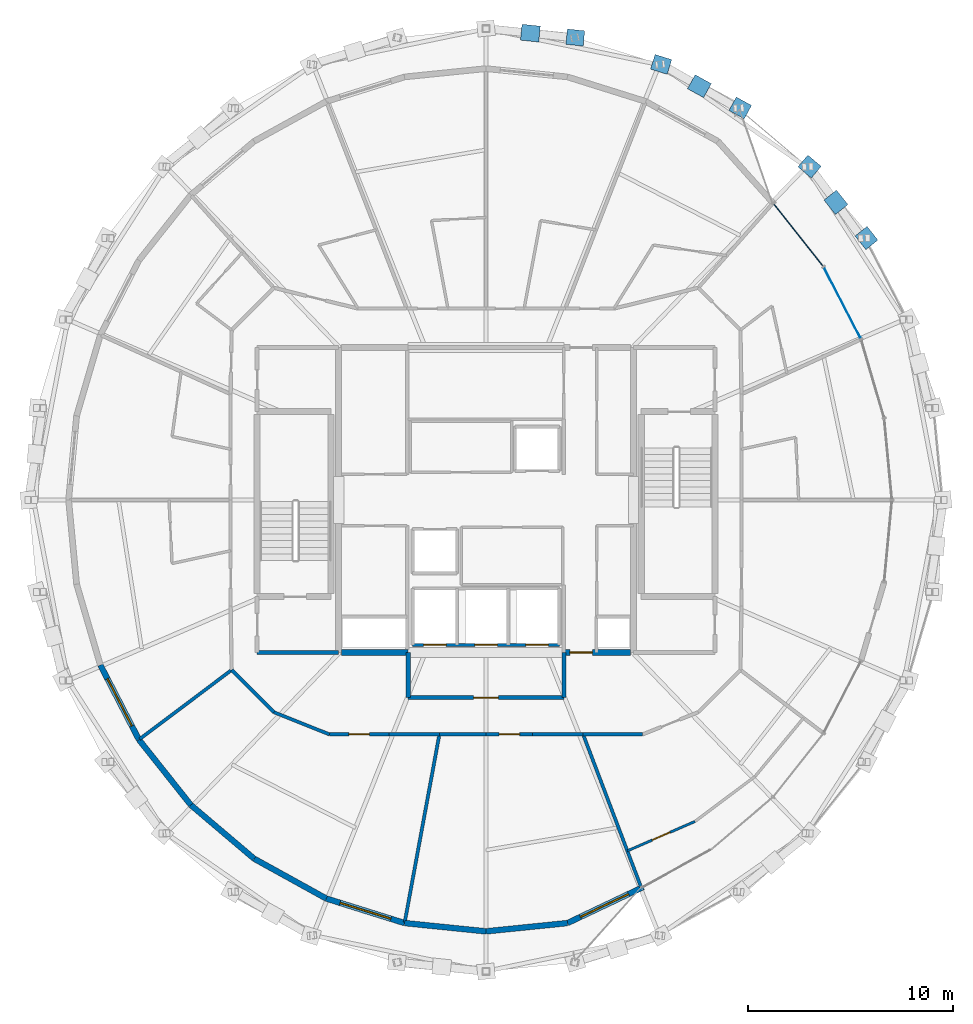
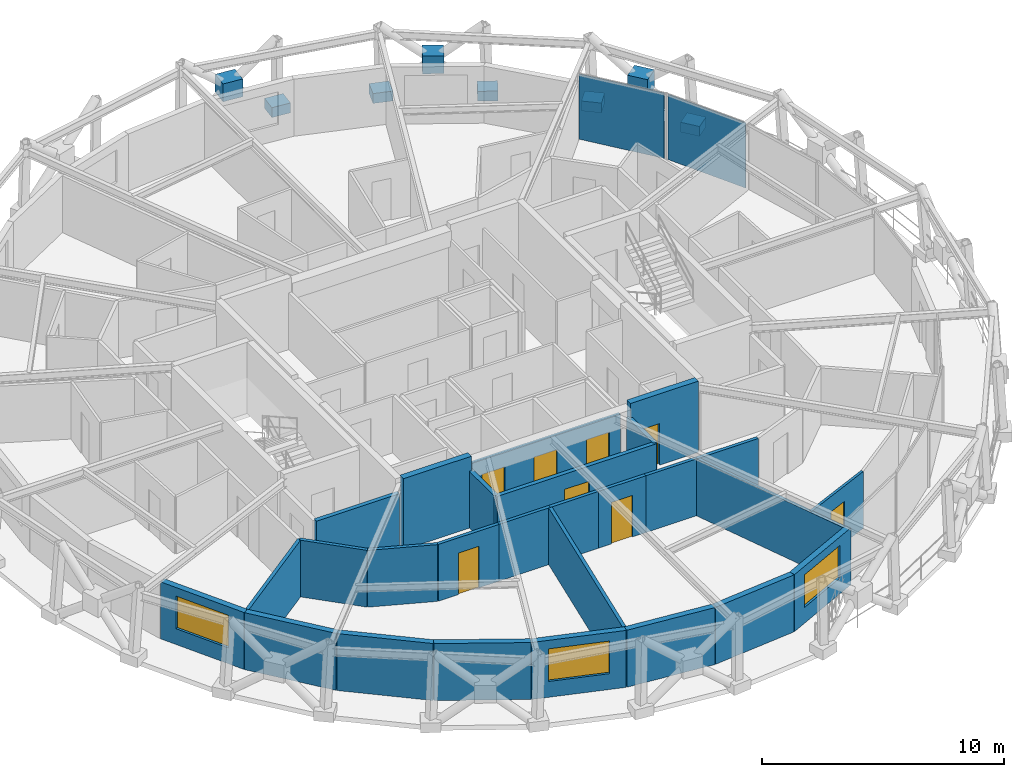
# One storey, part 10 of 15: 27 walls, 10 plates, 8 doors, 3 windows, 11 openings, 1 element without a shape of its own.
"""IFC4 building model written with IfcOpenShell, lengths in metres."""

from ifc_helpers import new_model, si_unit, direction, frame, frame_2d, origin, origin_2d, place, context, subcontext, project, spatial, rectangle, extrude, material, layer, layer_set, type_object, element, fill, aggregate, save


model = new_model("IFC4")

# Units and contexts
model_context = context("Model", 3, precision=1e-05, world=origin(), true_north=direction((0.0, 1.0)))
body_context = subcontext(model_context, "Body", "Model", "MODEL_VIEW")
ifc_project = project(units=[si_unit("LENGTHUNIT", "METRE"), si_unit("AREAUNIT", "SQUARE_METRE"), si_unit("VOLUMEUNIT", "CUBIC_METRE"), si_unit("PLANEANGLEUNIT", "RADIAN"), si_unit("MASSUNIT", "GRAM", prefix="KILO")], contexts=[model_context])

# Site, building, storey
site_placement = place(None, origin())
site = spatial("IfcSite", under=ifc_project, at=site_placement, CompositionType="ELEMENT")
building_placement = place(site_placement, origin())
building = spatial("IfcBuilding", under=site, at=building_placement, Name="Veldorina Hangang Commons", CompositionType="ELEMENT")
storey_placement = place(building_placement, frame((0.0, 0.0, 258.0)))
storey = spatial("IfcBuildingStorey", under=building, at=storey_placement, Name="L67", CompositionType="ELEMENT", Elevation=258.0)

# Curtain wall, plates
ifc_material_1 = material(Name="Glass Low-E Selective", Category="glass")
ifc_layer_1 = layer(ifc_material_1, 0.179931640625)
ifc_layer_set_1 = layer_set([ifc_layer_1], Name="Glass Low-E Selective")
curtain_wall_type = type_object("IfcCurtainWallType", Name="CW-SYS-Z3", PredefinedType="NOTDEFINED", material=ifc_layer_set_1)
curtain_wall_placement = place(storey_placement, origin())
curtain_wall = element("IfcCurtainWall", 1, at=curtain_wall_placement, inside=storey, type_object=curtain_wall_type, Name="L67 unitised curtain wall CW-L67-R2", PredefinedType="NOTDEFINED")
ifc_material_2 = material(Name="Glass Low-E Triple IGU", Category="glass")
ifc_layer_2 = layer(ifc_material_2, 0.0400390625)
ifc_layer_set_2 = layer_set([ifc_layer_2], Name="Glass Low-E Triple IGU")
plate_type_1 = type_object("IfcPlateType", Name="CW-PNL-VIS", PredefinedType="CURTAIN_PANEL", material=ifc_layer_set_2)
plate_1_placement = place(storey_placement, frame((49.40673828125, 33.623291015625, 0.014892578125), z_axis=(0.0, 0.0, 1.0), x_axis=(-0.459083760002, 0.888392988099, 0.0)))
plate_1 = element("IfcPlate", 2, at=plate_1_placement, type_object=plate_type_1, Name="CW-L67-R2 facet 4 glazed vision panel", PredefinedType="CURTAIN_PANEL", context=body_context, shape_type="SweptSolid", body=[
    extrude(rectangle(XDim=3.81201171875, YDim=0.0400390625, at=origin_2d()), origin(), (0.0, 0.0, 1.0), 3.2900390625),
])
plate_2_placement = place(storey_placement, frame((47.257080078125, 36.950927734375, 0.014892578125), z_axis=(0.0, 0.0, 1.0), x_axis=(-0.621571708307, 0.783357269343, 0.0)))
plate_2 = element("IfcPlate", 3, at=plate_2_placement, type_object=plate_type_1, Name="CW-L67-R2 facet 5 glazed vision panel", PredefinedType="CURTAIN_PANEL", context=body_context, shape_type="SweptSolid", body=[
    extrude(rectangle(XDim=3.7880859375, YDim=0.0400390625, at=origin_2d()), origin(), (0.0, 0.0, 1.0), 3.2900390625),
])
aggregate(curtain_wall, [plate_1, plate_2])

# Plates
ifc_material_3 = material(Name="Steel SM460-TMC", Category="steel")
ifc_layer_3 = layer(ifc_material_3, 0.035888671875)
ifc_layer_set_3 = layer_set([ifc_layer_3], Name="Steel SM460-TMC")
plate_type_2 = type_object("IfcPlateType", Name="PL-STAR-36", PredefinedType="USERDEFINED", material=ifc_layer_set_3)
plate_3_placement = place(storey_placement, frame((50.585693359375, 36.796630859375, -0.090087890625), z_axis=(0.0, 0.0, 1.0), x_axis=(-0.622992588578, 0.782227738307, 0.0)))
element("IfcPlate", 4, at=plate_3_placement, inside=storey, type_object=plate_type_2, Name="L67 diagrid star-node gusset plate 03", ObjectType="GUSSET PLATE", PredefinedType="USERDEFINED", context=body_context, shape_type="SweptSolid", body=[
    extrude(rectangle(XDim=0.85009765625, YDim=0.75, at=origin_2d()), origin(), (0.0, 0.0, 1.0), 0.5),
])
plate_4_placement = place(storey_placement, frame((49.09375, 38.5419921875, 1.354736328125), z_axis=(0.0, 0.0, 1.0), x_axis=(-0.622992588578, 0.782227738307, 0.0)))
element("IfcPlate", 5, at=plate_4_placement, inside=storey, type_object=plate_type_2, Name="L67 diagrid X-crossing star-node gusset plate 03", ObjectType="GUSSET PLATE", PredefinedType="USERDEFINED", context=body_context, shape_type="SweptSolid", body=[
    extrude(rectangle(XDim=0.89990234375, YDim=0.780029296875, at=origin_2d()), origin(), (0.0, 0.0, 1.0), 0.89990234375),
])
for number, where, z_axis, x_axis, name in (
    (6, (47.805908203125, 40.287109375, -0.090087890625), (0.0, 0.0, 1.0), (-0.763559404739, 0.645737590229, 0.0), "L67 diagrid star-node gusset plate 04"),
    (7, (44.418701171875, 43.151611328125, -0.090087890625), (0.0, 0.0, 1.0), (-0.875928041357, 0.482441775103, 0.0), "L67 diagrid star-node gusset plate 05"),
):
    element("IfcPlate", number, at=place(storey_placement, frame(where, z_axis=z_axis, x_axis=x_axis)), inside=storey, type_object=plate_type_2, Name=name, ObjectType="GUSSET PLATE", PredefinedType="USERDEFINED", context=body_context, shape_type="SweptSolid", body=[
        extrude(rectangle(XDim=0.85009765625, YDim=0.75, at=origin_2d()), origin(), (0.0, 0.0, 1.0), 0.5),
    ])
plate_5_placement = place(storey_placement, frame((42.423583984375, 44.21533203125, 1.358642578125), z_axis=(0.0, 0.0, 1.0), x_axis=(-0.875928041357, 0.482441775103, 0.0)))
element("IfcPlate", 8, at=plate_5_placement, inside=storey, type_object=plate_type_2, Name="L67 diagrid X-crossing star-node gusset plate 05", ObjectType="GUSSET PLATE", PredefinedType="USERDEFINED", context=body_context, shape_type="SweptSolid", body=[
    extrude(rectangle(XDim=0.89990234375, YDim=0.780029296875, at=origin_2d()), origin(), (0.0, 0.0, 1.0), 0.89990234375),
])
for number, where, z_axis, x_axis, name in (
    (9, (40.553955078125, 45.280029296875, -0.090087890625), (0.0, 0.0, 1.0), (-0.954459280468, 0.29834121728, 0.0), "L67 diagrid star-node gusset plate 06"),
    (10, (36.36083984375, 46.5908203125, -0.090087890625), (0.0, 0.0, 1.0), (-0.994889523866, 0.100969477078, 0.0), "L67 diagrid star-node gusset plate 07"),
):
    element("IfcPlate", number, at=place(storey_placement, frame(where, z_axis=z_axis, x_axis=x_axis)), inside=storey, type_object=plate_type_2, Name=name, ObjectType="GUSSET PLATE", PredefinedType="USERDEFINED", context=body_context, shape_type="SweptSolid", body=[
        extrude(rectangle(XDim=0.85009765625, YDim=0.75, at=origin_2d()), origin(), (0.0, 0.0, 1.0), 0.5),
    ])
plate_6_placement = place(storey_placement, frame((34.1669921875, 46.807373046875, 1.361083984375), z_axis=(0.0, 0.0, 1.0), x_axis=(-0.994889523866, 0.100969477078, 0.0)))
element("IfcPlate", 11, at=plate_6_placement, inside=storey, type_object=plate_type_2, Name="L67 diagrid X-crossing star-node gusset plate 07", ObjectType="GUSSET PLATE", PredefinedType="USERDEFINED", context=body_context, shape_type="SweptSolid", body=[
    extrude(rectangle(XDim=0.89990234375, YDim=0.780029296875, at=origin_2d()), origin(), (0.0, 0.0, 1.0), 0.89990234375),
])

# Wall
ifc_material_4 = material(Name="Concrete C50/60", Category="concrete")
ifc_layer_4 = layer(ifc_material_4, 0.300048828125)
ifc_layer_set_4 = layer_set([ifc_layer_4], Name="Concrete C50/60")
wall_type_1 = type_object("IfcWallType", Name="CW-RC300-C50", PredefinedType="SHEAR", material=ifc_layer_set_4)
wall_1_placement = place(storey_placement, frame((24.949951171875, 16.550048828125, 0.0), z_axis=(0.0, 0.0, 1.0), x_axis=(1.0, 0.0, 0.0)))
element("IfcWall", 12, at=wall_1_placement, inside=storey, type_object=wall_type_1, Name="L67 south-west core shear wall", PredefinedType="SHEAR", context=body_context, shape_type="SweptSolid", body=[
    extrude(rectangle(XDim=3.25, YDim=0.300048828125, at=frame_2d((1.625, 0.0))), origin(), (0.0, 0.0, 1.0), 3.60009765625),
])

# Wall, opening, door
wall_2_placement = place(storey_placement, frame((35.800048828125, 16.550048828125, 0.0), z_axis=(0.0, 0.0, 1.0), x_axis=(1.0, 0.0, 0.0)))
wall_2 = element("IfcWall", 13, at=wall_2_placement, inside=storey, type_object=wall_type_1, Name="L67 south-east core shear wall", PredefinedType="SHEAR", context=body_context, shape_type="SweptSolid", body=[
    extrude(rectangle(XDim=3.25, YDim=0.300048828125, at=frame_2d((1.625, 0.0))), origin(), (0.0, 0.0, 1.0), 3.60009765625),
])
opening_1_placement = place(wall_2_placement, frame((0.300048828125, 0.0, 0.0)))
opening_1 = element("IfcOpeningElement", 14, at=opening_1_placement, cuts=wall_2, Name="Opening D-08", PredefinedType="OPENING", context=body_context, shape_type="SweptSolid", body=[
    extrude(rectangle(XDim=1.10009765625, YDim=2.10009765625, at=frame_2d((0.550048828125, 1.050048828125))), frame((0.0, 0.16015625, 0.0), z_axis=(0.0, -1.0, 0.0), x_axis=(1.0, 0.0, 0.0)), (0.0, 0.0, 1.0), 0.320068359375),
])
ifc_material_5 = material(Name="Steel Fire-Rated Smoke Seal", Category="steel")
door_type_1 = type_object("IfcDoorType", Name="DR-FIRE-1100", OperationType="SINGLE_SWING_RIGHT", PredefinedType="DOOR", material=ifc_material_5)
door_1_placement = place(opening_1_placement, origin())
door_1 = element("IfcDoor", 15, at=door_1_placement, inside=storey, type_object=door_type_1, Name="L67 central lift lobby south corridor door", OperationType="SINGLE_SWING_RIGHT", OverallHeight=2.10009765625, OverallWidth=1.10009765625, PredefinedType="DOOR", context=body_context, shape_type="SweptSolid", body=[
    extrude(rectangle(XDim=1.10009765625, YDim=2.10009765625, at=frame_2d((0.550048828125, 1.050048828125))), frame((0.0, 0.02490234375, 0.0), z_axis=(0.0, -1.0, 0.0), x_axis=(1.0, 0.0, 0.0)), (0.0, 0.0, 1.0), 0.050048828125),
])
fill(opening_1, door_1)

# Wall, opening, window
ifc_material_6 = material(Name="Stone Roman Travertine", Category="masonry")
ifc_layer_5 = layer(ifc_material_6, 0.280029296875)
ifc_layer_set_5 = layer_set([ifc_layer_5], Name="Stone Roman Travertine")
wall_type_2 = type_object("IfcWallType", Name="EW-TRAV-280", PredefinedType="STANDARD", material=ifc_layer_set_5)
wall_3_placement = place(storey_placement, frame((13.159423828125, 15.935546875, 0.0), z_axis=(0.0, 0.0, 1.0), x_axis=(0.459432634071, -0.888212617987, 0.0)))
wall_3 = element("IfcWall", 16, at=wall_3_placement, inside=storey, type_object=wall_type_2, Name="L67 travertine facade wall 18", PredefinedType="STANDARD", context=body_context, shape_type="SweptSolid", body=[
    extrude(rectangle(XDim=4.101806640625, YDim=0.280029296875, at=frame_2d((2.05078125, 0.0))), origin(), (0.0, 0.0, 1.0), 2.8798828125),
])
opening_2_placement = place(wall_3_placement, frame((0.7509765625, 0.0, 0.800048828125)))
opening_2 = element("IfcOpeningElement", 17, at=opening_2_placement, cuts=wall_3, Name="Opening W-02", PredefinedType="OPENING", context=body_context, shape_type="SweptSolid", body=[
    extrude(rectangle(XDim=2.60009765625, YDim=1.64990234375, at=frame_2d((1.300048828125, 0.824951171875))), frame((0.0, 0.14990234375, 0.0), z_axis=(0.0, -1.0, 0.0), x_axis=(1.0, 0.0, 0.0)), (0.0, 0.0, 1.0), 0.300048828125),
])
window_type = type_object("IfcWindowType", Name="WIN-TWR-2600", PartitioningType="SINGLE_PANEL", PredefinedType="WINDOW", material=ifc_material_2)
window_1_placement = place(opening_2_placement, origin())
window_1 = element("IfcWindow", 18, at=window_1_placement, inside=storey, type_object=window_type, Name="L67 facade window 18", OverallHeight=1.64990234375, OverallWidth=2.60009765625, PartitioningType="SINGLE_PANEL", PredefinedType="WINDOW", context=body_context, shape_type="SweptSolid", body=[
    extrude(rectangle(XDim=2.60009765625, YDim=1.64990234375, at=frame_2d((1.300048828125, 0.824951171875))), frame((0.0, 0.030029296875, 0.0), z_axis=(0.0, -1.0, 0.0), x_axis=(1.0, 0.0, 0.0)), (0.0, 0.0, 1.0), 0.06005859375),
])
fill(opening_2, window_1)

# Walls
wall_4_placement = place(storey_placement, frame((15.0439453125, 12.292236328125, 0.0), z_axis=(0.0, 0.0, 1.0), x_axis=(0.621916698547, -0.783083405563, 0.0)))
element("IfcWall", 19, at=wall_4_placement, inside=storey, type_object=wall_type_2, Name="L67 travertine facade wall 19", PredefinedType="STANDARD", context=body_context, shape_type="SweptSolid", body=[
    extrude(rectangle(XDim=4.077880859375, YDim=0.280029296875, at=frame_2d((2.0390625, 0.0))), origin(), (0.0, 0.0, 1.0), 2.8798828125),
])
wall_5_placement = place(storey_placement, frame((17.580078125, 9.098876953125, 0.0), z_axis=(0.0, 0.0, 1.0), x_axis=(0.762691056528, -0.646762979995, 0.0)))
element("IfcWall", 20, at=wall_5_placement, inside=storey, type_object=wall_type_2, Name="L67 travertine facade wall 20", PredefinedType="STANDARD", context=body_context, shape_type="SweptSolid", body=[
    extrude(rectangle(XDim=4.0517578125, YDim=0.280029296875, at=frame_2d((2.02587890625, 0.0))), origin(), (0.0, 0.0, 1.0), 2.8798828125),
])
wall_6_placement = place(storey_placement, frame((20.67041015625, 6.478271484375, 0.0), z_axis=(0.0, 0.0, 1.0), x_axis=(0.875332682679, -0.483521141869, 0.0)))
element("IfcWall", 21, at=wall_6_placement, inside=storey, type_object=wall_type_2, Name="L67 travertine facade wall 21", PredefinedType="STANDARD", context=body_context, shape_type="SweptSolid", body=[
    extrude(rectangle(XDim=4.02783203125, YDim=0.280029296875, at=frame_2d((2.013916015625, 0.0))), origin(), (0.0, 0.0, 1.0), 2.8798828125),
])

# Wall, opening, window
wall_7_placement = place(storey_placement, frame((24.196044921875, 4.53076171875, 0.0), z_axis=(0.0, 0.0, 1.0), x_axis=(0.954211945644, -0.299131347055, 0.0)))
wall_7 = element("IfcWall", 22, at=wall_7_placement, inside=storey, type_object=wall_type_2, Name="L67 travertine facade wall 22", PredefinedType="STANDARD", context=body_context, shape_type="SweptSolid", body=[
    extrude(rectangle(XDim=4.009033203125, YDim=0.280029296875, at=frame_2d((2.00439453125, 0.0))), origin(), (0.0, 0.0, 1.0), 2.8798828125),
])
opening_3_placement = place(wall_7_placement, frame((0.70458984375, 0.0, 0.800048828125)))
opening_3 = element("IfcOpeningElement", 23, at=opening_3_placement, cuts=wall_7, Name="Opening W-02", PredefinedType="OPENING", context=body_context, shape_type="SweptSolid", body=[
    extrude(rectangle(XDim=2.60009765625, YDim=1.64990234375, at=frame_2d((1.300048828125, 0.824951171875))), frame((0.0, 0.14990234375, 0.0), z_axis=(0.0, -1.0, 0.0), x_axis=(1.0, 0.0, 0.0)), (0.0, 0.0, 1.0), 0.300048828125),
])
window_2_placement = place(opening_3_placement, origin())
window_2 = element("IfcWindow", 24, at=window_2_placement, inside=storey, type_object=window_type, Name="L67 facade window 22", OverallHeight=1.64990234375, OverallWidth=2.60009765625, PartitioningType="SINGLE_PANEL", PredefinedType="WINDOW", context=body_context, shape_type="SweptSolid", body=[
    extrude(rectangle(XDim=2.60009765625, YDim=1.64990234375, at=frame_2d((1.300048828125, 0.824951171875))), frame((0.0, 0.030029296875, 0.0), z_axis=(0.0, -1.0, 0.0), x_axis=(1.0, 0.0, 0.0)), (0.0, 0.0, 1.0), 0.06005859375),
])
fill(opening_3, window_2)

# Walls
for number, where, z_axis, x_axis, name in (
    (25, (28.021484375, 3.33154296875, 0.0), (0.0, 0.0, 1.0), (0.99486404525, -0.101220212753, 0.0), "L67 travertine facade wall 23"),
    (26, (32.0, 2.9267578125, 0.0), (0.0, 0.0, 1.0), (0.99486404525, 0.101220212753, 0.0), "L67 travertine facade wall 24"),
):
    element("IfcWall", number, at=place(storey_placement, frame(where, z_axis=z_axis, x_axis=x_axis)), inside=storey, type_object=wall_type_2, Name=name, PredefinedType="STANDARD", context=body_context, shape_type="SweptSolid", body=[
        extrude(rectangle(XDim=3.9990234375, YDim=0.280029296875, at=frame_2d((1.99951171875, 0.0))), origin(), (0.0, 0.0, 1.0), 2.8798828125),
    ])

# Wall, opening, window
wall_8_placement = place(storey_placement, frame((35.978515625, 3.33154296875, 0.0), z_axis=(0.0, 0.0, 1.0), x_axis=(0.903154871067, 0.429314894765, 0.0)))
wall_8 = element("IfcWall", 27, at=wall_8_placement, inside=storey, type_object=wall_type_2, Name="L67 travertine facade wall 25", PredefinedType="STANDARD", context=body_context, shape_type="SweptSolid", body=[
    extrude(rectangle(XDim=4.090576171875, YDim=0.280029296875, at=frame_2d((2.04541015625, 0.0))), origin(), (0.0, 0.0, 1.0), 2.8798828125),
])
opening_4_placement = place(wall_8_placement, frame((0.69921875, 0.0, 0.800048828125)))
opening_4 = element("IfcOpeningElement", 28, at=opening_4_placement, cuts=wall_8, Name="Opening W-02", PredefinedType="OPENING", context=body_context, shape_type="SweptSolid", body=[
    extrude(rectangle(XDim=2.60009765625, YDim=1.64990234375, at=frame_2d((1.300048828125, 0.824951171875))), frame((0.0, 0.14990234375, 0.0), z_axis=(0.0, -1.0, 0.0), x_axis=(1.0, 0.0, 0.0)), (0.0, 0.0, 1.0), 0.300048828125),
])
window_3_placement = place(opening_4_placement, origin())
window_3 = element("IfcWindow", 29, at=window_3_placement, inside=storey, type_object=window_type, Name="L67 facade window 25", OverallHeight=1.64990234375, OverallWidth=2.60009765625, PartitioningType="SINGLE_PANEL", PredefinedType="WINDOW", context=body_context, shape_type="SweptSolid", body=[
    extrude(rectangle(XDim=2.60009765625, YDim=1.64990234375, at=frame_2d((1.300048828125, 0.824951171875))), frame((0.0, 0.030029296875, 0.0), z_axis=(0.0, -1.0, 0.0), x_axis=(1.0, 0.0, 0.0)), (0.0, 0.0, 1.0), 0.06005859375),
])
fill(opening_4, window_3)

# Wall, openings, doors
ifc_material_7 = material(Name="Gypsum Fire-Rated Twin Stud Wall", Category="gypsum")
ifc_layer_6 = layer(ifc_material_7, 0.159912109375)
ifc_layer_set_6 = layer_set([ifc_layer_6], Name="Gypsum Fire-Rated Twin Stud Wall")
wall_type_3 = type_object("IfcWallType", Name="WL-FIRE-160", PredefinedType="SOLIDWALL", material=ifc_layer_set_6)
wall_9_placement = place(storey_placement, frame((28.419921875, 16.919921875, 0.0), z_axis=(0.0, 0.0, 1.0), x_axis=(1.0, 0.0, 0.0)))
wall_9 = element("IfcWall", 30, at=wall_9_placement, inside=storey, type_object=wall_type_3, Name="L67 Emergency front shaft wall 023", PredefinedType="SOLIDWALL", context=body_context, shape_type="SweptSolid", body=[
    extrude(rectangle(XDim=7.16015625, YDim=0.159912109375, at=frame_2d((3.580078125, 0.0))), origin(), (0.0, 0.0, 1.0), 2.8701171875),
])
opening_5_placement = place(wall_9_placement, frame((0.530029296875, 0.0, 0.0)))
opening_5 = element("IfcOpeningElement", 31, at=opening_5_placement, cuts=wall_9, Name="Opening LD-03", PredefinedType="OPENING", context=body_context, shape_type="SweptSolid", body=[
    extrude(rectangle(XDim=1.10009765625, YDim=2.14990234375, at=frame_2d((0.550048828125, 1.074951171875))), frame((0.0, 0.08984375, 0.0), z_axis=(0.0, -1.0, 0.0), x_axis=(1.0, 0.0, 0.0)), (0.0, 0.0, 1.0), 0.179931640625),
])
opening_6_placement = place(wall_9_placement, frame((3.030029296875, 0.0, 0.0)))
opening_6 = element("IfcOpeningElement", 32, at=opening_6_placement, cuts=wall_9, Name="Opening LD-03", PredefinedType="OPENING", context=body_context, shape_type="SweptSolid", body=[
    extrude(rectangle(XDim=1.10009765625, YDim=2.14990234375, at=frame_2d((0.550048828125, 1.074951171875))), frame((0.0, 0.08984375, 0.0), z_axis=(0.0, -1.0, 0.0), x_axis=(1.0, 0.0, 0.0)), (0.0, 0.0, 1.0), 0.179931640625),
])
opening_7_placement = place(wall_9_placement, frame((5.530029296875, 0.0, 0.0)))
opening_7 = element("IfcOpeningElement", 33, at=opening_7_placement, cuts=wall_9, Name="Opening LD-03", PredefinedType="OPENING", context=body_context, shape_type="SweptSolid", body=[
    extrude(rectangle(XDim=1.10009765625, YDim=2.14990234375, at=frame_2d((0.550048828125, 1.074951171875))), frame((0.0, 0.08984375, 0.0), z_axis=(0.0, -1.0, 0.0), x_axis=(1.0, 0.0, 0.0)), (0.0, 0.0, 1.0), 0.179931640625),
])
ifc_material_8 = material(Name="Stainless Steel Firefighting Lift Door", Category="steel")
door_type_2 = type_object("IfcDoorType", Name="DR-LIFT-FF1100", OperationType="SLIDING_TO_RIGHT", PredefinedType="DOOR", material=ifc_material_8)
door_2_placement = place(opening_5_placement, origin())
door_2 = element("IfcDoor", 34, at=door_2_placement, inside=storey, type_object=door_type_2, Name="L67 Emergency lift FFL-1 landing door 008", OperationType="SLIDING_TO_RIGHT", OverallHeight=2.14990234375, OverallWidth=1.10009765625, PredefinedType="DOOR", context=body_context, shape_type="SweptSolid", body=[
    extrude(rectangle(XDim=1.10009765625, YDim=2.14990234375, at=frame_2d((0.550048828125, 1.074951171875))), frame((0.0, 0.02490234375, 0.0), z_axis=(0.0, -1.0, 0.0), x_axis=(1.0, 0.0, 0.0)), (0.0, 0.0, 1.0), 0.050048828125),
])
fill(opening_5, door_2)
door_3_placement = place(opening_6_placement, origin())
door_3 = element("IfcDoor", 35, at=door_3_placement, inside=storey, type_object=door_type_2, Name="L67 Emergency lift FFL-2 landing door 009", OperationType="SLIDING_TO_RIGHT", OverallHeight=2.14990234375, OverallWidth=1.10009765625, PredefinedType="DOOR", context=body_context, shape_type="SweptSolid", body=[
    extrude(rectangle(XDim=1.10009765625, YDim=2.14990234375, at=frame_2d((0.550048828125, 1.074951171875))), frame((0.0, 0.02490234375, 0.0), z_axis=(0.0, -1.0, 0.0), x_axis=(1.0, 0.0, 0.0)), (0.0, 0.0, 1.0), 0.050048828125),
])
fill(opening_6, door_3)
door_4_placement = place(opening_7_placement, origin())
door_4 = element("IfcDoor", 36, at=door_4_placement, inside=storey, type_object=door_type_2, Name="L67 Emergency lift EVL-1 landing door 010", OperationType="SLIDING_TO_RIGHT", OverallHeight=2.14990234375, OverallWidth=1.10009765625, PredefinedType="DOOR", context=body_context, shape_type="SweptSolid", body=[
    extrude(rectangle(XDim=1.10009765625, YDim=2.14990234375, at=frame_2d((0.550048828125, 1.074951171875))), frame((0.0, 0.02490234375, 0.0), z_axis=(0.0, -1.0, 0.0), x_axis=(1.0, 0.0, 0.0)), (0.0, 0.0, 1.0), 0.050048828125),
])
fill(opening_7, door_4)

# Walls
wall_10_placement = place(storey_placement, frame((19.5732421875, 15.69677734375, 0.0), z_axis=(0.0, 0.0, 1.0), x_axis=(0.707106781187, -0.707106781187, 0.0)))
element("IfcWall", 37, at=wall_10_placement, inside=storey, type_object=wall_type_3, Name="L67 Compact collar outer wall 19 069", PredefinedType="SOLIDWALL", context=body_context, shape_type="SweptSolid", body=[
    extrude(rectangle(XDim=2.915771484375, YDim=0.159912109375, at=frame_2d((1.4580078125, 0.0))), origin(), (0.0, 0.0, 1.0), 2.8701171875),
])
wall_11_placement = place(storey_placement, frame((21.635009765625, 13.635009765625, 0.0), z_axis=(0.0, 0.0, 1.0), x_axis=(0.92856882165, -0.371160266542, 0.0)))
element("IfcWall", 38, at=wall_11_placement, inside=storey, type_object=wall_type_3, Name="L67 Compact collar outer wall 20 070", PredefinedType="SOLIDWALL", context=body_context, shape_type="SweptSolid", body=[
    extrude(rectangle(XDim=2.923095703125, YDim=0.159912109375, at=frame_2d((1.46142578125, 0.0))), origin(), (0.0, 0.0, 1.0), 2.8701171875),
])

# Wall, opening, door
wall_12_placement = place(storey_placement, frame((24.349365234375, 12.550048828125, 0.0), z_axis=(0.0, 0.0, 1.0), x_axis=(1.0, 0.0, 0.0)))
wall_12 = element("IfcWall", 39, at=wall_12_placement, inside=storey, type_object=wall_type_3, Name="L67 Compact collar outer wall 21 071", PredefinedType="SOLIDWALL", context=body_context, shape_type="SweptSolid", body=[
    extrude(rectangle(XDim=2.907958984375, YDim=0.159912109375, at=frame_2d((1.4541015625, 0.0))), origin(), (0.0, 0.0, 1.0), 2.8701171875),
])
opening_8_placement = place(wall_12_placement, frame((0.9541015625, 0.0, 0.0)))
opening_8 = element("IfcOpeningElement", 40, at=opening_8_placement, cuts=wall_12, Name="Opening D-05", PredefinedType="OPENING", context=body_context, shape_type="SweptSolid", body=[
    extrude(rectangle(XDim=1.0, YDim=2.10009765625, at=frame_2d((0.5, 1.050048828125))), frame((0.0, 0.08984375, 0.0), z_axis=(0.0, -1.0, 0.0), x_axis=(1.0, 0.0, 0.0)), (0.0, 0.0, 1.0), 0.179931640625),
])
ifc_material_9 = material(Name="Timber Solid Core Acoustic", Category="wood")
door_type_3 = type_object("IfcDoorType", Name="DR-INT-1000", OperationType="SINGLE_SWING_RIGHT", PredefinedType="DOOR", material=ifc_material_9)
door_5_placement = place(opening_8_placement, origin())
door_5 = element("IfcDoor", 41, at=door_5_placement, inside=storey, type_object=door_type_3, Name="L67 Floor Study Room 11 door 037", OperationType="SINGLE_SWING_LEFT", OverallHeight=2.10009765625, OverallWidth=1.0, PredefinedType="DOOR", context=body_context, shape_type="SweptSolid", body=[
    extrude(rectangle(XDim=1.0, YDim=2.10009765625, at=frame_2d((0.5, 1.050048828125))), frame((0.0, 0.02490234375, 0.0), z_axis=(0.0, -1.0, 0.0), x_axis=(1.0, 0.0, 0.0)), (0.0, 0.0, 1.0), 0.050048828125),
])
fill(opening_8, door_5)

# Walls
wall_13_placement = place(storey_placement, frame((27.25732421875, 12.550048828125, 0.0), z_axis=(0.0, 0.0, 1.0), x_axis=(1.0, 0.0, 0.0)))
element("IfcWall", 42, at=wall_13_placement, inside=storey, type_object=wall_type_3, Name="L67 Compact collar outer wall 22 072", PredefinedType="SOLIDWALL", context=body_context, shape_type="SweptSolid", body=[
    extrude(rectangle(XDim=2.465087890625, YDim=0.159912109375, at=frame_2d((1.232421875, 0.0))), origin(), (0.0, 0.0, 1.0), 2.8701171875),
])
wall_14_placement = place(storey_placement, frame((29.722412109375, 12.550048828125, 0.0), z_axis=(0.0, 0.0, 1.0), x_axis=(1.0, 0.0, 0.0)))
element("IfcWall", 43, at=wall_14_placement, inside=storey, type_object=wall_type_3, Name="L67 Compact collar outer wall 23 073", PredefinedType="SOLIDWALL", context=body_context, shape_type="SweptSolid", body=[
    extrude(rectangle(XDim=2.277587890625, YDim=0.159912109375, at=frame_2d((1.138671875, 0.0))), origin(), (0.0, 0.0, 1.0), 2.8701171875),
])

# Wall, opening, door
wall_15_placement = place(storey_placement, frame((32.0, 12.550048828125, 0.0), z_axis=(0.0, 0.0, 1.0), x_axis=(1.0, 0.0, 0.0)))
wall_15 = element("IfcWall", 44, at=wall_15_placement, inside=storey, type_object=wall_type_3, Name="L67 Compact collar outer wall 24 074", PredefinedType="SOLIDWALL", context=body_context, shape_type="SweptSolid", body=[
    extrude(rectangle(XDim=2.277587890625, YDim=0.159912109375, at=frame_2d((1.138671875, 0.0))), origin(), (0.0, 0.0, 1.0), 2.8701171875),
])
opening_9_placement = place(wall_15_placement, frame((0.638671875, 0.0, 0.0)))
opening_9 = element("IfcOpeningElement", 45, at=opening_9_placement, cuts=wall_15, Name="Opening D-05", PredefinedType="OPENING", context=body_context, shape_type="SweptSolid", body=[
    extrude(rectangle(XDim=1.0, YDim=2.10009765625, at=frame_2d((0.5, 1.050048828125))), frame((0.0, 0.08984375, 0.0), z_axis=(0.0, -1.0, 0.0), x_axis=(1.0, 0.0, 0.0)), (0.0, 0.0, 1.0), 0.179931640625),
])
door_6_placement = place(opening_9_placement, origin())
door_6 = element("IfcDoor", 46, at=door_6_placement, inside=storey, type_object=door_type_3, Name="L67 Seminar Focus Room 12 door 038", OperationType="SINGLE_SWING_RIGHT", OverallHeight=2.10009765625, OverallWidth=1.0, PredefinedType="DOOR", context=body_context, shape_type="SweptSolid", body=[
    extrude(rectangle(XDim=1.0, YDim=2.10009765625, at=frame_2d((0.5, 1.050048828125))), frame((0.0, 0.02490234375, 0.0), z_axis=(0.0, -1.0, 0.0), x_axis=(1.0, 0.0, 0.0)), (0.0, 0.0, 1.0), 0.050048828125),
])
fill(opening_9, door_6)

# Walls
wall_16_placement = place(storey_placement, frame((34.277587890625, 12.550048828125, 0.0), z_axis=(0.0, 0.0, 1.0), x_axis=(1.0, 0.0, 0.0)))
element("IfcWall", 47, at=wall_16_placement, inside=storey, type_object=wall_type_3, Name="L67 Compact collar outer wall 25 075", PredefinedType="SOLIDWALL", context=body_context, shape_type="SweptSolid", body=[
    extrude(rectangle(XDim=2.465087890625, YDim=0.159912109375, at=frame_2d((1.232421875, 0.0))), origin(), (0.0, 0.0, 1.0), 2.8701171875),
])
wall_17_placement = place(storey_placement, frame((36.74267578125, 12.550048828125, 0.0), z_axis=(0.0, 0.0, 1.0), x_axis=(1.0, 0.0, 0.0)))
element("IfcWall", 48, at=wall_17_placement, inside=storey, type_object=wall_type_3, Name="L67 Compact collar outer wall 26 076", PredefinedType="SOLIDWALL", context=body_context, shape_type="SweptSolid", body=[
    extrude(rectangle(XDim=2.907958984375, YDim=0.159912109375, at=frame_2d((1.4541015625, 0.0))), origin(), (0.0, 0.0, 1.0), 2.8701171875),
])
wall_18_placement = place(storey_placement, frame((19.5732421875, 15.69677734375, 0.0), z_axis=(0.0, 0.0, 1.0), x_axis=(-0.799352680188, -0.600862124514, 0.0)))
element("IfcWall", 49, at=wall_18_placement, inside=storey, type_object=wall_type_3, Name="L67 Unit party wall 19 110", PredefinedType="SOLIDWALL", context=body_context, shape_type="SweptSolid", body=[
    extrude(rectangle(XDim=5.6162109375, YDim=0.159912109375, at=frame_2d((2.80810546875, 0.0))), origin(), (0.0, 0.0, 1.0), 2.8701171875),
])
wall_19_placement = place(storey_placement, frame((29.722412109375, 12.550048828125, 0.0), z_axis=(0.0, 0.0, 1.0), x_axis=(-0.181431000309, -0.983403677096, 0.0)))
element("IfcWall", 50, at=wall_19_placement, inside=storey, type_object=wall_type_3, Name="L67 Unit party wall 23 111", PredefinedType="SOLIDWALL", context=body_context, shape_type="SweptSolid", body=[
    extrude(rectangle(XDim=9.323974609375, YDim=0.159912109375, at=frame_2d((4.662109375, 0.0))), origin(), (0.0, 0.0, 1.0), 2.8701171875),
])
wall_20_placement = place(storey_placement, frame((36.74267578125, 12.550048828125, 0.0), z_axis=(0.0, 0.0, 1.0), x_axis=(0.354824979058, -0.934932743162, 0.0)))
element("IfcWall", 51, at=wall_20_placement, inside=storey, type_object=wall_type_3, Name="L67 Unit party wall 26 112", PredefinedType="SOLIDWALL", context=body_context, shape_type="SweptSolid", body=[
    extrude(rectangle(XDim=7.973876953125, YDim=0.159912109375, at=frame_2d((3.98681640625, 0.0))), origin(), (0.0, 0.0, 1.0), 2.8701171875),
])
ifc_material_10 = material(Name="Concrete Blockwork Fire Wall C30/37", Category="masonry")
ifc_layer_7 = layer(ifc_material_10, 0.199951171875)
ifc_layer_set_7 = layer_set([ifc_layer_7], Name="Concrete Blockwork Fire Wall C30/37")
wall_type_4 = type_object("IfcWallType", Name="WL-FIRE-200", PredefinedType="SOLIDWALL", material=ifc_layer_set_7)
wall_21_placement = place(storey_placement, frame((20.820068359375, 16.550048828125, 0.0), z_axis=(0.0, 0.0, 1.0), x_axis=(1.0, 0.0, 0.0)))
element("IfcWall", 52, at=wall_21_placement, inside=storey, type_object=wall_type_4, Name="L67 West vestibule south wall 002", PredefinedType="SOLIDWALL", context=body_context, shape_type="SweptSolid", body=[
    extrude(rectangle(XDim=3.97998046875, YDim=0.199951171875, at=frame_2d((1.989990234375, 0.0))), origin(), (0.0, 0.0, 1.0), 2.8701171875),
])
for number, where, z_axis, x_axis, name in (
    (53, (28.199951171875, 14.35009765625, 0.0), (0.0, 0.0, 1.0), (0.0, 1.0, 0.0), "L67 FF lobby west wall 012"),
    (54, (35.800048828125, 14.35009765625, 0.0), (0.0, 0.0, 1.0), (0.0, 1.0, 0.0), "L67 FF lobby east wall 013"),
):
    element("IfcWall", number, at=place(storey_placement, frame(where, z_axis=z_axis, x_axis=x_axis)), inside=storey, type_object=wall_type_4, Name=name, PredefinedType="SOLIDWALL", context=body_context, shape_type="SweptSolid", body=[
        extrude(rectangle(XDim=2.199951171875, YDim=0.199951171875, at=frame_2d((1.10009765625, 0.0))), origin(), (0.0, 0.0, 1.0), 2.8701171875),
    ])

# Wall, opening, door
wall_22_placement = place(storey_placement, frame((28.199951171875, 14.35009765625, 0.0), z_axis=(0.0, 0.0, 1.0), x_axis=(1.0, 0.0, 0.0)))
wall_22 = element("IfcWall", 55, at=wall_22_placement, inside=storey, type_object=wall_type_4, Name="L67 FF lobby south wall 014", PredefinedType="SOLIDWALL", context=body_context, shape_type="SweptSolid", body=[
    extrude(rectangle(XDim=7.60009765625, YDim=0.199951171875, at=frame_2d((3.800048828125, 0.0))), origin(), (0.0, 0.0, 1.0), 2.8701171875),
])
opening_10_placement = place(wall_22_placement, frame((3.199951171875, 0.0, 0.0)))
opening_10 = element("IfcOpeningElement", 56, at=opening_10_placement, cuts=wall_22, Name="Opening D-09", PredefinedType="OPENING", context=body_context, shape_type="SweptSolid", body=[
    extrude(rectangle(XDim=1.199951171875, YDim=2.10009765625, at=frame_2d((0.60009765625, 1.050048828125))), frame((0.0, 0.10986328125, 0.0), z_axis=(0.0, -1.0, 0.0), x_axis=(1.0, 0.0, 0.0)), (0.0, 0.0, 1.0), 0.219970703125),
])
ifc_material_11 = material(Name="Steel Fire-Rated Corridor Door", Category="steel")
door_type_4 = type_object("IfcDoorType", Name="DR-FIRE-1200", OperationType="SINGLE_SWING_LEFT", PredefinedType="DOOR", material=ifc_material_11)
door_7_placement = place(opening_10_placement, origin())
door_7 = element("IfcDoor", 57, at=door_7_placement, inside=storey, type_object=door_type_4, Name="L67 FF lobby south corridor door 005", OperationType="SINGLE_SWING_LEFT", OverallHeight=2.10009765625, OverallWidth=1.199951171875, PredefinedType="DOOR", context=body_context, shape_type="SweptSolid", body=[
    extrude(rectangle(XDim=1.199951171875, YDim=2.10009765625, at=frame_2d((0.60009765625, 1.050048828125))), frame((0.0, 0.02490234375, 0.0), z_axis=(0.0, -1.0, 0.0), x_axis=(1.0, 0.0, 0.0)), (0.0, 0.0, 1.0), 0.050048828125),
])
fill(opening_10, door_7)

ifc_material_12 = material(Name="Gypsum Acoustic Stud Partition", Category="gypsum")
ifc_layer_8 = layer(ifc_material_12, 0.1201171875)
ifc_layer_set_8 = layer_set([ifc_layer_8], Name="Gypsum Acoustic Stud Partition")
wall_type_5 = type_object("IfcWallType", Name="WL-PART-120", PredefinedType="PARTITIONING", material=ifc_layer_set_8)
wall_23_placement = place(storey_placement, frame((38.9033203125, 6.857177734375, 0.0), z_axis=(0.0, 0.0, 1.0), x_axis=(0.916826396338, 0.399286061588, 0.0)))
wall_23 = element("IfcWall", 58, at=wall_23_placement, inside=storey, type_object=wall_type_5, Name="L67 Laundry split 0 113", PredefinedType="PARTITIONING", context=body_context, shape_type="SweptSolid", body=[
    extrude(rectangle(XDim=3.6025390625, YDim=0.1201171875, at=frame_2d((1.80126953125, 0.0))), origin(), (0.0, 0.0, 1.0), 2.8701171875),
])
opening_11_placement = place(wall_23_placement, frame((1.326416015625, 0.0, 0.0)))
opening_11 = element("IfcOpeningElement", 59, at=opening_11_placement, cuts=wall_23, Name="Opening D-02", PredefinedType="OPENING", context=body_context, shape_type="SweptSolid", body=[
    extrude(rectangle(XDim=0.949951171875, YDim=2.10009765625, at=frame_2d((0.47509765625, 1.050048828125))), frame((0.0, 0.070068359375, 0.0), z_axis=(0.0, -1.0, 0.0), x_axis=(1.0, 0.0, 0.0)), (0.0, 0.0, 1.0), 0.14013671875),
])
door_type_5 = type_object("IfcDoorType", Name="DR-INT-950", OperationType="SINGLE_SWING_LEFT", PredefinedType="DOOR", material=ifc_material_9)
door_8_placement = place(opening_11_placement, origin())
door_8 = element("IfcDoor", 60, at=door_8_placement, inside=storey, type_object=door_type_5, Name="L67 Resident laundry inner door 040", OperationType="SINGLE_SWING_RIGHT", OverallHeight=2.10009765625, OverallWidth=0.949951171875, PredefinedType="DOOR", context=body_context, shape_type="SweptSolid", body=[
    extrude(rectangle(XDim=0.949951171875, YDim=2.10009765625, at=frame_2d((0.47509765625, 1.050048828125))), frame((0.0, 0.02490234375, 0.0), z_axis=(0.0, -1.0, 0.0), x_axis=(1.0, 0.0, 0.0)), (0.0, 0.0, 1.0), 0.050048828125),
])
fill(opening_11, door_8)

save(model, "model.ifc")
